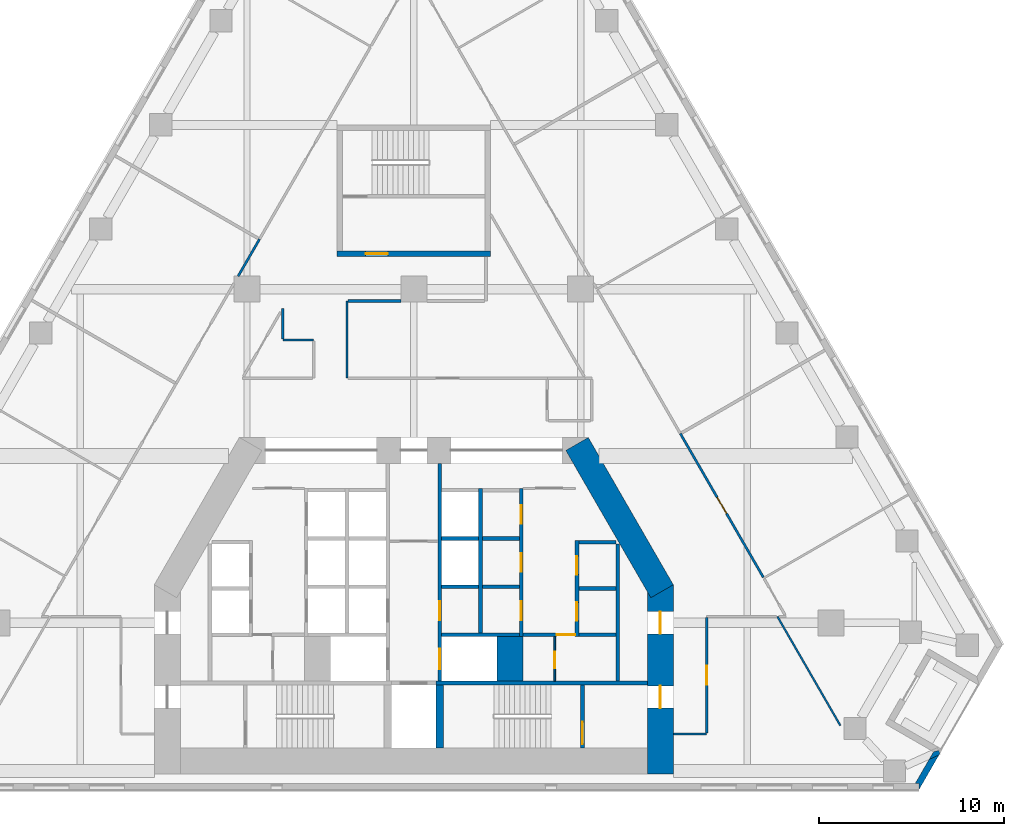
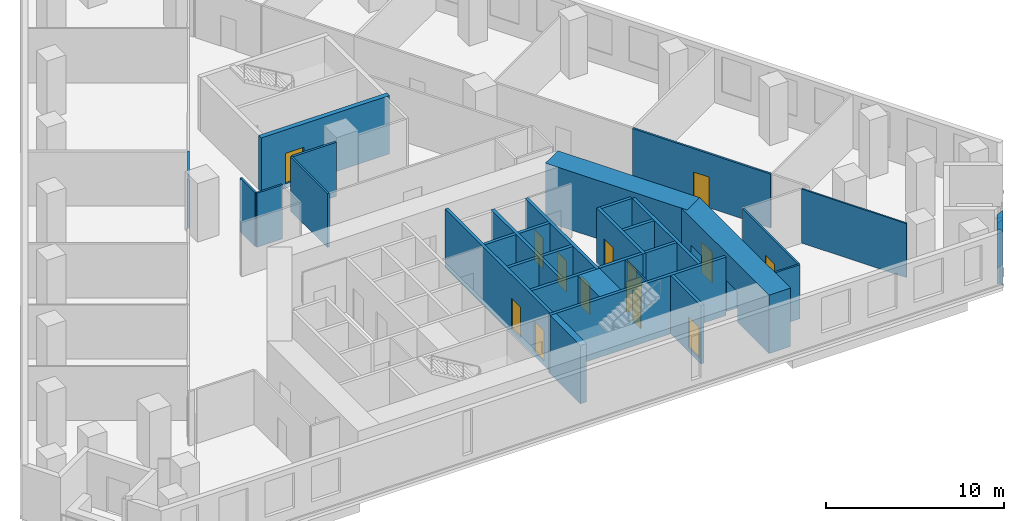
# One storey, part 6 of 11: 33 walls, 15 doors, 15 openings.
"""IFC4 building model written with IfcOpenShell, lengths in metres."""

from ifc_helpers import new_model, si_unit, direction, frame, frame_2d, origin, place, context, subcontext, project, spatial, polyline, rectangle, outline, extrude, material, layer, layer_set, type_object, element, fill, save


model = new_model("IFC4")

# Units and contexts
model_context = context("Model", 3, precision=1e-05, world=origin(), true_north=direction((0.0, 1.0)))
body_context = subcontext(model_context, "Body", "Model", "MODEL_VIEW")
ifc_project = project(units=[si_unit("LENGTHUNIT", "METRE"), si_unit("AREAUNIT", "SQUARE_METRE"), si_unit("VOLUMEUNIT", "CUBIC_METRE"), si_unit("PLANEANGLEUNIT", "RADIAN"), si_unit("MASSUNIT", "GRAM", prefix="KILO")], contexts=[model_context])

# Site, building, storey
site_placement = place(None, origin())
site = spatial("IfcSite", under=ifc_project, at=site_placement, CompositionType="ELEMENT")
building_placement = place(site_placement, origin())
building = spatial("IfcBuilding", under=site, at=building_placement, Name="Fogline Exchange Tower", CompositionType="ELEMENT")
storey_placement = place(building_placement, frame((0.0, 0.0, 52.89990234375)))
storey = spatial("IfcBuildingStorey", under=building, at=storey_placement, Name="L10", CompositionType="ELEMENT", Elevation=52.89990234375)

# Wall, opening, door
ifc_material_1 = material(Name="Blockwork partition", Category="masonry")
ifc_layer_1 = layer(ifc_material_1, 0.10009765625)
ifc_layer_set_1 = layer_set([ifc_layer_1], Name="CW10")
wall_type_1 = type_object("IfcWallType", Name="CW10", PredefinedType="PARTITIONING", material=ifc_layer_set_1)
wall_1_placement = place(storey_placement, frame((7.60009765625, 5.85009765625, 0.0), z_axis=(0.0, 0.0, 1.0), x_axis=(0.0, 1.0, 0.0)))
wall_1 = element("IfcWall", 1, at=wall_1_placement, inside=storey, type_object=wall_type_1, Name="WC partition", PredefinedType="PARTITIONING", context=body_context, shape_type="SweptSolid", body=[
    extrude(rectangle(XDim=2.39990234375, YDim=0.10009765625, at=frame_2d((1.199951171875, 0.0))), origin(), (0.0, 0.0, 1.0), 3.7001953125),
])
opening_1_placement = place(wall_1_placement, frame((0.699951171875, 0.0, 0.0)))
opening_1 = element("IfcOpeningElement", 2, at=opening_1_placement, cuts=wall_1, Name="Opening T03-C015", PredefinedType="OPENING", context=body_context, shape_type="SweptSolid", body=[
    extrude(rectangle(XDim=0.89990234375, YDim=2.10009765625, at=frame_2d((0.449951171875, 1.050048828125))), frame((0.0, 0.06005859375, 0.0), z_axis=(0.0, -1.0, 0.0), x_axis=(1.0, 0.0, 0.0)), (0.0, 0.0, 1.0), 0.1201171875),
])
ifc_material_2 = material(Name="Steel and timber fire door", Category="steel")
door_type_1 = type_object("IfcDoorType", Name="D-CS1", OperationType="SINGLE_SWING_RIGHT", PredefinedType="DOOR", material=ifc_material_2)
door_1_placement = place(opening_1_placement, origin())
door_1 = element("IfcDoor", 3, at=door_1_placement, inside=storey, type_object=door_type_1, Name="Door to Cleaner's Store", OperationType="SINGLE_SWING_LEFT", OverallHeight=2.10009765625, OverallWidth=0.89990234375, PredefinedType="DOOR", context=body_context, shape_type="SweptSolid", body=[
    extrude(rectangle(XDim=0.89990234375, YDim=2.10009765625, at=frame_2d((0.449951171875, 1.050048828125))), frame((0.0, 0.02490234375, 0.0), z_axis=(0.0, -1.0, 0.0), x_axis=(1.0, 0.0, 0.0)), (0.0, 0.0, 1.0), 0.050048828125),
])
fill(opening_1, door_1)

# Walls
ifc_material_3 = material(Name="Concrete C60", Category="concrete")
ifc_layer_2 = layer(ifc_material_3, 1.39990234375)
ifc_layer_set_2 = layer_set([ifc_layer_2], Name="CW140")
wall_type_2 = type_object("IfcWallType", Name="CW140", PredefinedType="SOLIDWALL", material=ifc_layer_set_2)
wall_2_placement = place(storey_placement, frame((5.199951171875, 5.85009765625, -0.2998046875), z_axis=(0.0, 0.0, 1.0), x_axis=(0.0, 1.0, 0.0)))
element("IfcWall", 4, at=wall_2_placement, inside=storey, type_object=wall_type_2, Name="Lift shaft block wall", PredefinedType="SOLIDWALL", context=body_context, shape_type="SweptSolid", body=[
    extrude(rectangle(XDim=2.39990234375, YDim=1.39990234375, at=frame_2d((1.199951171875, 0.0))), origin(), (0.0, 0.0, 1.0), 4.0),
])
ifc_material_4 = material(Name="Concrete C40", Category="concrete")
ifc_layer_3 = layer(ifc_material_4, 0.199951171875)
ifc_layer_set_3 = layer_set([ifc_layer_3], Name="CW20")
wall_type_3 = type_object("IfcWallType", Name="CW20", PredefinedType="SOLIDWALL", material=ifc_layer_set_3)
wall_3_placement = place(storey_placement, frame((11.0, 5.85009765625, 0.0), z_axis=(0.0, 0.0, 1.0), x_axis=(0.0, 1.0, 0.0)))
element("IfcWall", 5, at=wall_3_placement, inside=storey, type_object=wall_type_3, Name="Service room wall", PredefinedType="SOLIDWALL", context=body_context, shape_type="SweptSolid", body=[
    extrude(rectangle(XDim=7.39990234375, YDim=0.199951171875, at=frame_2d((3.699951171875, 0.0))), origin(), (0.0, 0.0, 1.0), 3.7001953125),
])

# Wall, opening, door
wall_4_placement = place(storey_placement, frame((5.89990234375, 8.35009765625, 0.0), z_axis=(0.0, 0.0, 1.0), x_axis=(1.0, 0.0, 0.0)))
wall_4 = element("IfcWall", 6, at=wall_4_placement, inside=storey, type_object=wall_type_3, Name="WC wall", PredefinedType="SOLIDWALL", context=body_context, shape_type="SweptSolid", body=[
    extrude(rectangle(XDim=2.800048828125, YDim=0.199951171875, at=frame_2d((1.39990234375, 0.0))), origin(), (0.0, 0.0, 1.0), 3.7001953125),
])
opening_2_placement = place(wall_4_placement, frame((1.800048828125, 0.0, 0.0)))
opening_2 = element("IfcOpeningElement", 7, at=opening_2_placement, cuts=wall_4, Name="Opening T03-C014", PredefinedType="OPENING", context=body_context, shape_type="SweptSolid", body=[
    extrude(rectangle(XDim=1.0, YDim=2.10009765625, at=frame_2d((0.5, 1.050048828125))), frame((0.0, 0.10986328125, 0.0), z_axis=(0.0, -1.0, 0.0), x_axis=(1.0, 0.0, 0.0)), (0.0, 0.0, 1.0), 0.219970703125),
])
door_type_2 = type_object("IfcDoorType", Name="D-WC1", OperationType="SINGLE_SWING_LEFT", PredefinedType="DOOR", material=ifc_material_2)
door_2_placement = place(opening_2_placement, frame((1.0, 0.0, 0.0), z_axis=(0.0, 0.0, 1.0), x_axis=(-1.0, 0.0, 0.0)))
door_2 = element("IfcDoor", 8, at=door_2_placement, inside=storey, type_object=door_type_2, Name="Door to Women's WC", OperationType="SINGLE_SWING_LEFT", OverallHeight=2.10009765625, OverallWidth=1.0, PredefinedType="DOOR", context=body_context, shape_type="SweptSolid", body=[
    extrude(rectangle(XDim=1.0, YDim=2.10009765625, at=frame_2d((0.5, 1.050048828125))), frame((0.0, 0.02490234375, 0.0), z_axis=(0.0, -1.0, 0.0), x_axis=(1.0, 0.0, 0.0)), (0.0, 0.0, 1.0), 0.050048828125),
])
fill(opening_2, door_2)

# Wall
ifc_layer_4 = layer(ifc_material_4, 0.199951171875)
ifc_layer_set_4 = layer_set([ifc_layer_4], Name="CW20R")
wall_type_4 = type_object("IfcWallType", Name="CW20R", PredefinedType="SOLIDWALL", material=ifc_layer_set_4)
wall_5_placement = place(storey_placement, frame((1.199951171875, 5.75, -0.2998046875), z_axis=(0.0, 0.0, 1.0), x_axis=(1.0, 0.0, 0.0)))
element("IfcWall", 9, at=wall_5_placement, inside=storey, type_object=wall_type_4, Name="Stair enclosure wall", PredefinedType="SOLIDWALL", context=body_context, shape_type="SweptSolid", body=[
    extrude(rectangle(XDim=11.400146484375, YDim=0.199951171875, at=frame_2d((5.7001953125, 0.0))), origin(), (0.0, 0.0, 1.0), 4.0),
])

# Wall, opening, door
wall_6_placement = place(storey_placement, frame((9.10009765625, 2.25, -0.2998046875), z_axis=(0.0, 0.0, 1.0), x_axis=(0.0, 1.0, 0.0)))
wall_6 = element("IfcWall", 10, at=wall_6_placement, inside=storey, type_object=wall_type_4, Name="Stair enclosure wall", PredefinedType="SOLIDWALL", context=body_context, shape_type="SweptSolid", body=[
    extrude(rectangle(XDim=3.39990234375, YDim=0.199951171875, at=frame_2d((1.699951171875, 0.0))), origin(), (0.0, 0.0, 1.0), 4.0),
])
opening_3_placement = place(wall_6_placement, frame((0.199951171875, 0.0, 0.300048828125)))
opening_3 = element("IfcOpeningElement", 11, at=opening_3_placement, cuts=wall_6, Name="Opening T03-C017", PredefinedType="OPENING", context=body_context, shape_type="SweptSolid", body=[
    extrude(rectangle(XDim=1.199951171875, YDim=2.10009765625, at=frame_2d((0.60009765625, 1.050048828125))), frame((0.0, 0.10986328125, 0.0), z_axis=(0.0, -1.0, 0.0), x_axis=(1.0, 0.0, 0.0)), (0.0, 0.0, 1.0), 0.219970703125),
])
door_type_3 = type_object("IfcDoorType", Name="D-ST1", OperationType="SINGLE_SWING_LEFT", PredefinedType="DOOR", material=ifc_material_2)
door_3_placement = place(opening_3_placement, origin())
door_3 = element("IfcDoor", 12, at=door_3_placement, inside=storey, type_object=door_type_3, Name="Stair door ST2", OperationType="SINGLE_SWING_LEFT", OverallHeight=2.10009765625, OverallWidth=1.199951171875, PredefinedType="DOOR", context=body_context, shape_type="SweptSolid", body=[
    extrude(rectangle(XDim=1.199951171875, YDim=2.10009765625, at=frame_2d((0.60009765625, 1.050048828125))), frame((0.0, 0.02490234375, 0.0), z_axis=(0.0, -1.0, 0.0), x_axis=(1.0, 0.0, 0.0)), (0.0, 0.0, 1.0), 0.050048828125),
])
fill(opening_3, door_3)

# Wall, openings, doors
ifc_layer_5 = layer(ifc_material_4, 0.199951171875)
ifc_layer_set_5 = layer_set([ifc_layer_5], Name="CW20S")
wall_type_5 = type_object("IfcWallType", Name="CW20S", PredefinedType="SOLIDWALL", material=ifc_layer_set_5)
wall_7_placement = place(storey_placement, frame((8.800048828125, 8.25, -0.2998046875), z_axis=(0.0, 0.0, 1.0), x_axis=(0.0, 1.0, 0.0)))
wall_7 = element("IfcWall", 13, at=wall_7_placement, inside=storey, type_object=wall_type_5, Name="Lift shaft wall", PredefinedType="SOLIDWALL", context=body_context, shape_type="SweptSolid", body=[
    extrude(rectangle(XDim=5.199951171875, YDim=0.199951171875, at=frame_2d((2.60009765625, 0.0))), origin(), (0.0, 0.0, 1.0), 4.0),
])
opening_4_placement = place(wall_7_placement, frame((0.85009765625, 0.0, 0.300048828125)))
opening_4 = element("IfcOpeningElement", 14, at=opening_4_placement, cuts=wall_7, Name="Opening T03-C001", PredefinedType="OPENING", context=body_context, shape_type="SweptSolid", body=[
    extrude(rectangle(XDim=1.0, YDim=2.10009765625, at=frame_2d((0.5, 1.050048828125))), frame((0.0, 0.10986328125, 0.0), z_axis=(0.0, -1.0, 0.0), x_axis=(1.0, 0.0, 0.0)), (0.0, 0.0, 1.0), 0.219970703125),
])
opening_5_placement = place(wall_7_placement, frame((3.35009765625, 0.0, 0.300048828125)))
opening_5 = element("IfcOpeningElement", 15, at=opening_5_placement, cuts=wall_7, Name="Opening T03-C002", PredefinedType="OPENING", context=body_context, shape_type="SweptSolid", body=[
    extrude(rectangle(XDim=1.0, YDim=2.10009765625, at=frame_2d((0.5, 1.050048828125))), frame((0.0, 0.10986328125, 0.0), z_axis=(0.0, -1.0, 0.0), x_axis=(1.0, 0.0, 0.0)), (0.0, 0.0, 1.0), 0.219970703125),
])
door_type_4 = type_object("IfcDoorType", Name="D-RM1", OperationType="SINGLE_SWING_LEFT", PredefinedType="DOOR", material=ifc_material_2)
door_4_placement = place(opening_4_placement, frame((1.0, 0.0, 0.0), z_axis=(0.0, 0.0, 1.0), x_axis=(-1.0, 0.0, 0.0)))
door_4 = element("IfcDoor", 16, at=door_4_placement, inside=storey, type_object=door_type_4, Name="Door to Library Store", OperationType="SINGLE_SWING_LEFT", OverallHeight=2.10009765625, OverallWidth=1.0, PredefinedType="DOOR", context=body_context, shape_type="SweptSolid", body=[
    extrude(rectangle(XDim=1.0, YDim=2.10009765625, at=frame_2d((0.5, 1.050048828125))), frame((0.0, 0.02490234375, 0.0), z_axis=(0.0, -1.0, 0.0), x_axis=(1.0, 0.0, 0.0)), (0.0, 0.0, 1.0), 0.050048828125),
])
fill(opening_4, door_4)
door_5_placement = place(opening_5_placement, frame((1.0, 0.0, 0.0), z_axis=(0.0, 0.0, 1.0), x_axis=(-1.0, 0.0, 0.0)))
door_5 = element("IfcDoor", 17, at=door_5_placement, inside=storey, type_object=door_type_4, Name="Door to Stationery Store", OperationType="SINGLE_SWING_LEFT", OverallHeight=2.10009765625, OverallWidth=1.0, PredefinedType="DOOR", context=body_context, shape_type="SweptSolid", body=[
    extrude(rectangle(XDim=1.0, YDim=2.10009765625, at=frame_2d((0.5, 1.050048828125))), frame((0.0, 0.02490234375, 0.0), z_axis=(0.0, -1.0, 0.0), x_axis=(1.0, 0.0, 0.0)), (0.0, 0.0, 1.0), 0.050048828125),
])
fill(opening_5, door_5)

wall_8_placement = place(storey_placement, frame((5.800048828125, 8.25, -0.2998046875), z_axis=(0.0, 0.0, 1.0), x_axis=(0.0, 1.0, 0.0)))
wall_8 = element("IfcWall", 18, at=wall_8_placement, inside=storey, type_object=wall_type_5, Name="Lift shaft wall", PredefinedType="SOLIDWALL", context=body_context, shape_type="SweptSolid", body=[
    extrude(rectangle(XDim=8.0, YDim=0.199951171875, at=frame_2d((4.0, 0.0))), origin(), (0.0, 0.0, 1.0), 4.0),
])
opening_6_placement = place(wall_8_placement, frame((0.89990234375, 0.0, 0.300048828125)))
opening_6 = element("IfcOpeningElement", 19, at=opening_6_placement, cuts=wall_8, Name="Opening T03-C003", PredefinedType="OPENING", context=body_context, shape_type="SweptSolid", body=[
    extrude(rectangle(XDim=1.0, YDim=2.10009765625, at=frame_2d((0.5, 1.050048828125))), frame((0.0, 0.10986328125, 0.0), z_axis=(0.0, -1.0, 0.0), x_axis=(1.0, 0.0, 0.0)), (0.0, 0.0, 1.0), 0.219970703125),
])
opening_7_placement = place(wall_8_placement, frame((3.5, 0.0, 0.300048828125)))
opening_7 = element("IfcOpeningElement", 20, at=opening_7_placement, cuts=wall_8, Name="Opening T03-C004", PredefinedType="OPENING", context=body_context, shape_type="SweptSolid", body=[
    extrude(rectangle(XDim=1.0, YDim=2.10009765625, at=frame_2d((0.5, 1.050048828125))), frame((0.0, 0.10986328125, 0.0), z_axis=(0.0, -1.0, 0.0), x_axis=(1.0, 0.0, 0.0)), (0.0, 0.0, 1.0), 0.219970703125),
])
opening_8_placement = place(wall_8_placement, frame((6.10009765625, 0.0, 0.300048828125)))
opening_8 = element("IfcOpeningElement", 21, at=opening_8_placement, cuts=wall_8, Name="Opening T03-C005", PredefinedType="OPENING", context=body_context, shape_type="SweptSolid", body=[
    extrude(rectangle(XDim=1.0, YDim=2.10009765625, at=frame_2d((0.5, 1.050048828125))), frame((0.0, 0.10986328125, 0.0), z_axis=(0.0, -1.0, 0.0), x_axis=(1.0, 0.0, 0.0)), (0.0, 0.0, 1.0), 0.219970703125),
])
door_6_placement = place(opening_6_placement, origin())
door_6 = element("IfcDoor", 22, at=door_6_placement, inside=storey, type_object=door_type_4, Name="Door to Records Store", OperationType="SINGLE_SWING_RIGHT", OverallHeight=2.10009765625, OverallWidth=1.0, PredefinedType="DOOR", context=body_context, shape_type="SweptSolid", body=[
    extrude(rectangle(XDim=1.0, YDim=2.10009765625, at=frame_2d((0.5, 1.050048828125))), frame((0.0, 0.02490234375, 0.0), z_axis=(0.0, -1.0, 0.0), x_axis=(1.0, 0.0, 0.0)), (0.0, 0.0, 1.0), 0.050048828125),
])
fill(opening_6, door_6)
door_7_placement = place(opening_7_placement, origin())
door_7 = element("IfcDoor", 23, at=door_7_placement, inside=storey, type_object=door_type_4, Name="Door to Riser Room", OperationType="SINGLE_SWING_LEFT", OverallHeight=2.10009765625, OverallWidth=1.0, PredefinedType="DOOR", context=body_context, shape_type="SweptSolid", body=[
    extrude(rectangle(XDim=1.0, YDim=2.10009765625, at=frame_2d((0.5, 1.050048828125))), frame((0.0, 0.02490234375, 0.0), z_axis=(0.0, -1.0, 0.0), x_axis=(1.0, 0.0, 0.0)), (0.0, 0.0, 1.0), 0.050048828125),
])
fill(opening_7, door_7)
door_8_placement = place(opening_8_placement, origin())
door_8 = element("IfcDoor", 24, at=door_8_placement, inside=storey, type_object=door_type_4, Name="Door to Plant Room", OperationType="SINGLE_SWING_LEFT", OverallHeight=2.10009765625, OverallWidth=1.0, PredefinedType="DOOR", context=body_context, shape_type="SweptSolid", body=[
    extrude(rectangle(XDim=1.0, YDim=2.10009765625, at=frame_2d((0.5, 1.050048828125))), frame((0.0, 0.02490234375, 0.0), z_axis=(0.0, -1.0, 0.0), x_axis=(1.0, 0.0, 0.0)), (0.0, 0.0, 1.0), 0.050048828125),
])
fill(opening_8, door_8)

# Wall
wall_9_placement = place(storey_placement, frame((3.60009765625, 8.449951171875, -0.2998046875), z_axis=(0.0, 0.0, 1.0), x_axis=(0.0, 1.0, 0.0)))
element("IfcWall", 25, at=wall_9_placement, inside=storey, type_object=wall_type_5, Name="Lift shaft wall", PredefinedType="SOLIDWALL", context=body_context, shape_type="SweptSolid", body=[
    extrude(rectangle(XDim=7.800048828125, YDim=0.199951171875, at=frame_2d((3.89990234375, 0.0))), origin(), (0.0, 0.0, 1.0), 4.0),
])

# Wall, openings, doors
wall_10_placement = place(storey_placement, frame((1.39990234375, 5.85009765625, -0.2998046875), z_axis=(0.0, 0.0, 1.0), x_axis=(0.0, 1.0, 0.0)))
wall_10 = element("IfcWall", 26, at=wall_10_placement, inside=storey, type_object=wall_type_5, Name="Lift lobby wall", PredefinedType="SOLIDWALL", context=body_context, shape_type="SweptSolid", body=[
    extrude(rectangle(XDim=11.75, YDim=0.199951171875, at=frame_2d((5.875, 0.0))), origin(), (0.0, 0.0, 1.0), 4.0),
])
opening_9_placement = place(wall_10_placement, frame((0.64990234375, 0.0, 0.300048828125)))
opening_9 = element("IfcOpeningElement", 27, at=opening_9_placement, cuts=wall_10, Name="Opening T03-LD08", PredefinedType="OPENING", context=body_context, shape_type="SweptSolid", body=[
    extrude(rectangle(XDim=1.10009765625, YDim=2.10009765625, at=frame_2d((0.550048828125, 1.050048828125))), frame((0.0, 0.10986328125, 0.0), z_axis=(0.0, -1.0, 0.0), x_axis=(1.0, 0.0, 0.0)), (0.0, 0.0, 1.0), 0.219970703125),
])
opening_10_placement = place(wall_10_placement, frame((3.300048828125, 0.0, 0.300048828125)))
opening_10 = element("IfcOpeningElement", 28, at=opening_10_placement, cuts=wall_10, Name="Opening T03-C006", PredefinedType="OPENING", context=body_context, shape_type="SweptSolid", body=[
    extrude(rectangle(XDim=1.0, YDim=2.10009765625, at=frame_2d((0.5, 1.050048828125))), frame((0.0, 0.10986328125, 0.0), z_axis=(0.0, -1.0, 0.0), x_axis=(1.0, 0.0, 0.0)), (0.0, 0.0, 1.0), 0.219970703125),
])
door_9_placement = place(opening_10_placement, frame((1.0, 0.0, 0.0), z_axis=(0.0, 0.0, 1.0), x_axis=(-1.0, 0.0, 0.0)))
door_9 = element("IfcDoor", 29, at=door_9_placement, inside=storey, type_object=door_type_4, Name="Door to Cable Store", OperationType="SINGLE_SWING_RIGHT", OverallHeight=2.10009765625, OverallWidth=1.0, PredefinedType="DOOR", context=body_context, shape_type="SweptSolid", body=[
    extrude(rectangle(XDim=1.0, YDim=2.10009765625, at=frame_2d((0.5, 1.050048828125))), frame((0.0, 0.02490234375, 0.0), z_axis=(0.0, -1.0, 0.0), x_axis=(1.0, 0.0, 0.0)), (0.0, 0.0, 1.0), 0.050048828125),
])
fill(opening_10, door_9)
door_type_5 = type_object("IfcDoorType", Name="LD2", OperationType="SLIDING_TO_RIGHT", PredefinedType="DOOR", material=ifc_material_2)
door_10_placement = place(opening_9_placement, origin())
door_10 = element("IfcDoor", 30, at=door_10_placement, inside=storey, type_object=door_type_5, Name="Landing door FF2", OperationType="SLIDING_TO_RIGHT", OverallHeight=2.10009765625, OverallWidth=1.10009765625, PredefinedType="DOOR", context=body_context, shape_type="SweptSolid", body=[
    extrude(rectangle(XDim=1.10009765625, YDim=2.10009765625, at=frame_2d((0.550048828125, 1.050048828125))), frame((0.0, 0.02490234375, 0.0), z_axis=(0.0, -1.0, 0.0), x_axis=(1.0, 0.0, 0.0)), (0.0, 0.0, 1.0), 0.050048828125),
])
fill(opening_9, door_10)

# Walls
wall_11_placement = place(storey_placement, frame((8.89990234375, 8.35009765625, -0.2998046875), z_axis=(0.0, 0.0, 1.0), x_axis=(1.0, 0.0, 0.0)))
element("IfcWall", 31, at=wall_11_placement, inside=storey, type_object=wall_type_5, Name="Lift shaft wall", PredefinedType="SOLIDWALL", context=body_context, shape_type="SweptSolid", body=[
    extrude(rectangle(XDim=2.0, YDim=0.199951171875, at=frame_2d((1.0, 0.0))), origin(), (0.0, 0.0, 1.0), 4.0),
])
wall_12_placement = place(storey_placement, frame((1.5, 8.35009765625, -0.2998046875), z_axis=(0.0, 0.0, 1.0), x_axis=(1.0, 0.0, 0.0)))
element("IfcWall", 32, at=wall_12_placement, inside=storey, type_object=wall_type_5, Name="Lift shaft wall", PredefinedType="SOLIDWALL", context=body_context, shape_type="SweptSolid", body=[
    extrude(rectangle(XDim=4.199951171875, YDim=0.199951171875, at=frame_2d((2.10009765625, 0.0))), origin(), (0.0, 0.0, 1.0), 4.0),
])
for number, where, z_axis, x_axis, name in (
    (33, (8.89990234375, 10.85009765625, -0.2998046875), (0.0, 0.0, 1.0), (1.0, 0.0, 0.0), "Lift shaft wall"),
    (34, (8.89990234375, 13.35009765625, -0.2998046875), (0.0, 0.0, 1.0), (1.0, 0.0, 0.0), "Lift shaft wall"),
    (35, (3.699951171875, 10.949951171875, -0.2998046875), (0.0, 0.0, 1.0), (1.0, 0.0, 0.0), "Lift shaft wall"),
    (36, (3.699951171875, 13.550048828125, -0.2998046875), (0.0, 0.0, 1.0), (1.0, 0.0, 0.0), "Lift shaft wall"),
    (37, (1.5, 10.949951171875, -0.2998046875), (0.0, 0.0, 1.0), (1.0, 0.0, 0.0), "Lift shaft wall"),
    (38, (1.5, 13.550048828125, -0.2998046875), (0.0, 0.0, 1.0), (1.0, 0.0, 0.0), "Lift shaft wall"),
):
    element("IfcWall", number, at=place(storey_placement, frame(where, z_axis=z_axis, x_axis=x_axis)), inside=storey, type_object=wall_type_5, Name=name, PredefinedType="SOLIDWALL", context=body_context, shape_type="SweptSolid", body=[
        extrude(rectangle(XDim=2.0, YDim=0.199951171875, at=frame_2d((1.0, 0.0))), origin(), (0.0, 0.0, 1.0), 4.0),
    ])

# Wall, opening, door
ifc_layer_6 = layer(ifc_material_4, 0.300048828125)
ifc_layer_set_6 = layer_set([ifc_layer_6], Name="CW30")
wall_type_6 = type_object("IfcWallType", Name="CW30", PredefinedType="SOLIDWALL", material=ifc_layer_set_6)
wall_13_placement = place(storey_placement, frame((-4.14990234375, 28.906982421875, -0.2998046875), z_axis=(0.0, 0.0, 1.0), x_axis=(1.0, 0.0, 0.0)))
wall_13 = element("IfcWall", 39, at=wall_13_placement, inside=storey, type_object=wall_type_6, Name="Stair enclosure wall ST3", PredefinedType="SOLIDWALL", context=body_context, shape_type="SweptSolid", body=[
    extrude(rectangle(XDim=8.2998046875, YDim=0.300048828125, at=frame_2d((4.14990234375, 0.0))), origin(), (0.0, 0.0, 1.0), 4.0),
])
opening_11_placement = place(wall_13_placement, frame((1.550048828125, 0.0, 0.300048828125)))
opening_11 = element("IfcOpeningElement", 40, at=opening_11_placement, cuts=wall_13, Name="Opening T03-C023", PredefinedType="OPENING", context=body_context, shape_type="SweptSolid", body=[
    extrude(rectangle(XDim=1.199951171875, YDim=2.10009765625, at=frame_2d((0.60009765625, 1.050048828125))), frame((0.0, 0.16015625, 0.0), z_axis=(0.0, -1.0, 0.0), x_axis=(1.0, 0.0, 0.0)), (0.0, 0.0, 1.0), 0.320068359375),
])
door_type_6 = type_object("IfcDoorType", Name="D-FR1", OperationType="SINGLE_SWING_RIGHT", PredefinedType="DOOR", material=ifc_material_2)
door_11_placement = place(opening_11_placement, origin())
door_11 = element("IfcDoor", 41, at=door_11_placement, inside=storey, type_object=door_type_6, Name="Front room door ST3", OperationType="SINGLE_SWING_LEFT", OverallHeight=2.10009765625, OverallWidth=1.199951171875, PredefinedType="DOOR", context=body_context, shape_type="SweptSolid", body=[
    extrude(rectangle(XDim=1.199951171875, YDim=2.10009765625, at=frame_2d((0.60009765625, 1.050048828125))), frame((0.0, 0.02490234375, 0.0), z_axis=(0.0, -1.0, 0.0), x_axis=(1.0, 0.0, 0.0)), (0.0, 0.0, 1.0), 0.050048828125),
])
fill(opening_11, door_11)

# Walls
ifc_layer_7 = layer(ifc_material_4, 0.39990234375)
ifc_layer_set_7 = layer_set([ifc_layer_7], Name="CW40R")
wall_type_7 = type_object("IfcWallType", Name="CW40R", PredefinedType="SOLIDWALL", material=ifc_layer_set_7)
wall_14_placement = place(storey_placement, frame((1.39990234375, 2.25, -0.2998046875), z_axis=(0.0, 0.0, 1.0), x_axis=(0.0, 1.0, 0.0)))
element("IfcWall", 42, at=wall_14_placement, inside=storey, type_object=wall_type_7, Name="Stair and lift shaft wall", PredefinedType="SOLIDWALL", context=body_context, shape_type="SweptSolid", body=[
    extrude(rectangle(XDim=3.39990234375, YDim=0.39990234375, at=frame_2d((1.699951171875, 0.0))), origin(), (0.0, 0.0, 1.0), 4.0),
])
ifc_material_5 = material(Name="Brick masonry", Category="masonry")
ifc_layer_8 = layer(ifc_material_5, 0.340087890625)
ifc_layer_set_8 = layer_set([ifc_layer_8], Name="FW1")
wall_type_8 = type_object("IfcWallType", Name="FW1", PredefinedType="SOLIDWALL", material=ifc_layer_set_8)
wall_15_placement = place(storey_placement, origin())
element("IfcWall", 43, at=wall_15_placement, inside=storey, type_object=wall_type_8, Name="Brick wall L10 SE-c1", PredefinedType="SOLIDWALL", context=body_context, shape_type="SweptSolid", body=[
    extrude(outline(polyline([(28.334716796875, 1.86865234375), (27.80126953125, 1.626953125), (28.040283203125, 2.041015625), (28.319580078125, 2.115966796875), (28.388916015625, 1.962646484375), (28.334716796875, 1.86865234375)])), origin(), (0.0, 0.0, 1.0), 3.10009765625),
])
wall_16_placement = place(storey_placement, origin())
element("IfcWall", 44, at=wall_16_placement, inside=storey, type_object=wall_type_8, Name="Brick wall L10 SE-c1", PredefinedType="SOLIDWALL", context=body_context, shape_type="SweptSolid", body=[
    extrude(outline(polyline([(27.255126953125, -0.001220703125), (27.254638671875, -0.0009765625), (27.254638671875, 0.33935546875), (27.057861328125, 0.33935546875), (27.80126953125, 1.626953125), (28.334716796875, 1.86865234375), (27.255126953125, -0.001220703125)])), origin(), (0.0, 0.0, 1.0), 3.7001953125),
])
ifc_material_6 = material(Name="Plasterboard partition, 2 layers each side on steel studs", Category="steel")
ifc_layer_9 = layer(ifc_material_6, 0.10009765625)
ifc_layer_set_9 = layer_set([ifc_layer_9], Name="PW1")
wall_type_9 = type_object("IfcWallType", Name="PW1", PredefinedType="PARTITIONING", material=ifc_layer_set_9)
wall_17_placement = place(storey_placement, frame((19.615966796875, 9.340087890625, 0.0), z_axis=(0.0, 0.0, 1.0), x_axis=(0.499992018036, -0.866030012124, 0.0)))
element("IfcWall", 45, at=wall_17_placement, inside=storey, type_object=wall_type_9, Name="wall-L10-W055", PredefinedType="PARTITIONING", context=body_context, shape_type="SweptSolid", body=[
    extrude(rectangle(XDim=6.79443359375, YDim=0.10009765625, at=frame_2d((3.397216796875, 0.0))), origin(), (0.0, 0.0, 1.0), 3.7001953125),
])

# Wall, opening, door
ifc_material_7 = material(Name="Plasterboard corridor partition with mineral wool, 2 layers each side")
ifc_layer_10 = layer(ifc_material_7, 0.125)
ifc_layer_set_10 = layer_set([ifc_layer_10], Name="PW2")
wall_type_10 = type_object("IfcWallType", Name="PW2", PredefinedType="PARTITIONING", material=ifc_layer_set_10)
wall_18_placement = place(storey_placement, frame((15.800048828125, 9.277587890625, 0.0), z_axis=(0.0, 0.0, 1.0), x_axis=(0.0, -1.0, 0.0)))
wall_18 = element("IfcWall", 46, at=wall_18_placement, inside=storey, type_object=wall_type_10, Name="wall-L10-W001", PredefinedType="PARTITIONING", context=body_context, shape_type="SweptSolid", body=[
    extrude(rectangle(XDim=6.215087890625, YDim=0.125, at=frame_2d((3.107421875, 0.0))), origin(), (0.0, 0.0, 1.0), 3.7001953125),
])
opening_12_placement = place(wall_18_placement, frame((2.607421875, 0.0, 0.0)))
opening_12 = element("IfcOpeningElement", 47, at=opening_12_placement, cuts=wall_18, Name="Opening T03-D001", PredefinedType="OPENING", context=body_context, shape_type="SweptSolid", body=[
    extrude(rectangle(XDim=1.0, YDim=2.10009765625, at=frame_2d((0.5, 1.050048828125))), frame((0.0, 0.072509765625, 0.0), z_axis=(0.0, -1.0, 0.0), x_axis=(1.0, 0.0, 0.0)), (0.0, 0.0, 1.0), 0.14501953125),
])
ifc_material_8 = material(Name="Fire-rated timber door leaf with steel frame", Category="steel")
door_type_7 = type_object("IfcDoorType", Name="D3", OperationType="SINGLE_SWING_LEFT", PredefinedType="DOOR", material=ifc_material_8)
door_12_placement = place(opening_12_placement, origin())
door_12 = element("IfcDoor", 48, at=door_12_placement, inside=storey, type_object=door_type_7, Name="door-L10-D001", OperationType="SINGLE_SWING_LEFT", OverallHeight=2.10009765625, OverallWidth=1.0, PredefinedType="DOOR", context=body_context, shape_type="SweptSolid", body=[
    extrude(rectangle(XDim=1.0, YDim=2.10009765625, at=frame_2d((0.5, 1.050048828125))), frame((0.0, 0.02490234375, 0.0), z_axis=(0.0, -1.0, 0.0), x_axis=(1.0, 0.0, 0.0)), (0.0, 0.0, 1.0), 0.050048828125),
])
fill(opening_12, door_12)

# Walls
wall_19_placement = place(storey_placement, frame((15.800048828125, 3.0, 0.0), z_axis=(0.0, 0.0, 1.0), x_axis=(-1.0, 0.0, 0.0)))
element("IfcWall", 49, at=wall_19_placement, inside=storey, type_object=wall_type_10, Name="wall-L10-W002", PredefinedType="PARTITIONING", context=body_context, shape_type="SweptSolid", body=[
    extrude(rectangle(XDim=1.800048828125, YDim=0.125, at=frame_2d((0.89990234375, 0.0))), origin(), (0.0, 0.0, 1.0), 3.7001953125),
])
wall_20_placement = place(storey_placement, frame((-9.477783203125, 27.699951171875, 0.0), z_axis=(0.0, 0.0, 1.0), x_axis=(0.500030792419, 0.866007625043, 0.0)))
element("IfcWall", 50, at=wall_20_placement, inside=storey, type_object=wall_type_10, Name="wall-L10-W021", PredefinedType="PARTITIONING", context=body_context, shape_type="SweptSolid", body=[
    extrude(rectangle(XDim=2.307373046875, YDim=0.125, at=frame_2d((1.15380859375, 0.0))), origin(), (0.0, 0.0, 1.0), 3.7001953125),
])

# Wall, opening, door
wall_21_placement = place(storey_placement, frame((14.381591796875, 19.206298828125, 0.0), z_axis=(0.0, 0.0, 1.0), x_axis=(0.49998850867, -0.866032038205, 0.0)))
wall_21 = element("IfcWall", 51, at=wall_21_placement, inside=storey, type_object=wall_type_10, Name="wall-L10-W031", PredefinedType="PARTITIONING", context=body_context, shape_type="SweptSolid", body=[
    extrude(rectangle(XDim=8.949462890625, YDim=0.125, at=frame_2d((4.474609375, 0.0))), origin(), (0.0, 0.0, 1.0), 3.7001953125),
])
opening_13_placement = place(wall_21_placement, frame((3.974609375, 0.0, 0.0)))
opening_13 = element("IfcOpeningElement", 52, at=opening_13_placement, cuts=wall_21, Name="Opening T03-D017", PredefinedType="OPENING", context=body_context, shape_type="SweptSolid", body=[
    extrude(rectangle(XDim=1.0, YDim=2.10009765625, at=frame_2d((0.5, 1.050048828125))), frame((0.0, 0.072509765625, 0.0), z_axis=(0.0, -1.0, 0.0), x_axis=(1.0, 0.0, 0.0)), (0.0, 0.0, 1.0), 0.14501953125),
])
door_13_placement = place(opening_13_placement, origin())
door_13 = element("IfcDoor", 53, at=door_13_placement, inside=storey, type_object=door_type_7, Name="door-L10-D017", OperationType="SINGLE_SWING_LEFT", OverallHeight=2.10009765625, OverallWidth=1.0, PredefinedType="DOOR", context=body_context, shape_type="SweptSolid", body=[
    extrude(rectangle(XDim=1.0, YDim=2.10009765625, at=frame_2d((0.5, 1.050048828125))), frame((0.0, 0.02490234375, 0.0), z_axis=(0.0, -1.0, 0.0), x_axis=(1.0, 0.0, 0.0)), (0.0, 0.0, 1.0), 0.050048828125),
])
fill(opening_13, door_13)

# Walls
wall_22_placement = place(storey_placement, frame((-5.39990234375, 24.257080078125, 0.0), z_axis=(0.0, 0.0, 1.0), x_axis=(-1.0, 0.0, 0.0)))
element("IfcWall", 54, at=wall_22_placement, inside=storey, type_object=wall_type_10, Name="wall-L10-W035", PredefinedType="PARTITIONING", context=body_context, shape_type="SweptSolid", body=[
    extrude(rectangle(XDim=1.669921875, YDim=0.125, at=frame_2d((0.8349609375, 0.0))), origin(), (0.0, 0.0, 1.0), 3.7001953125),
])
wall_23_placement = place(storey_placement, frame((-7.06982421875, 24.319580078125, 0.0), z_axis=(0.0, 0.0, 1.0), x_axis=(0.0, 1.0, 0.0)))
element("IfcWall", 55, at=wall_23_placement, inside=storey, type_object=wall_type_10, Name="wall-L10-W036", PredefinedType="PARTITIONING", context=body_context, shape_type="SweptSolid", body=[
    extrude(rectangle(XDim=1.65087890625, YDim=0.125, at=frame_2d((0.825439453125, 0.0))), origin(), (0.0, 0.0, 1.0), 3.7001953125),
])
wall_24_placement = place(storey_placement, frame((-3.60009765625, 26.35693359375, 0.0), z_axis=(0.0, 0.0, 1.0), x_axis=(0.0, -1.0, 0.0)))
element("IfcWall", 56, at=wall_24_placement, inside=storey, type_object=wall_type_10, Name="wall-L10-W037", PredefinedType="PARTITIONING", context=body_context, shape_type="SweptSolid", body=[
    extrude(rectangle(XDim=4.156982421875, YDim=0.125, at=frame_2d((2.07861328125, 0.0))), origin(), (0.0, 0.0, 1.0), 3.7001953125),
])
ifc_material_9 = material(Name="Plasterboard stair lobby partition, 3 layers each side on steel studs", Category="steel")
ifc_layer_11 = layer(ifc_material_9, 0.14990234375)
ifc_layer_set_11 = layer_set([ifc_layer_11], Name="PW4")
wall_type_11 = type_object("IfcWallType", Name="PW4", PredefinedType="PARTITIONING", material=ifc_layer_set_11)
wall_25_placement = place(storey_placement, frame((-0.699951171875, 26.35693359375, 0.0), z_axis=(0.0, 0.0, 1.0), x_axis=(-1.0, 0.0, 0.0)))
element("IfcWall", 57, at=wall_25_placement, inside=storey, type_object=wall_type_11, Name="wall-L10-W034", PredefinedType="PARTITIONING", context=body_context, shape_type="SweptSolid", body=[
    extrude(rectangle(XDim=2.837646484375, YDim=0.14990234375, at=frame_2d((1.4189453125, 0.0))), origin(), (0.0, 0.0, 1.0), 3.7001953125),
])

# Wall, openings, doors
ifc_layer_12 = layer(ifc_material_3, 1.39990234375)
ifc_layer_set_12 = layer_set([ifc_layer_12], Name="SW01")
wall_type_12 = type_object("IfcWallType", Name="SW01", PredefinedType="SHEAR", material=ifc_layer_set_12)
wall_26_placement = place(storey_placement, frame((13.300048828125, 0.85009765625, 0.0), z_axis=(0.0, 0.0, 1.0), x_axis=(0.0, 1.0, 0.0)))
wall_26 = element("IfcWall", 58, at=wall_26_placement, inside=storey, type_object=wall_type_12, Name="L10-W902", PredefinedType="SHEAR", context=body_context, shape_type="SweptSolid", body=[
    extrude(rectangle(XDim=10.202392578125, YDim=1.39990234375, at=frame_2d((5.10107421875, 0.0))), origin(), (0.0, 0.0, 1.0), 4.0),
])
opening_14_placement = place(wall_26_placement, frame((3.550048828125, 0.0, 0.0)))
opening_14 = element("IfcOpeningElement", 59, at=opening_14_placement, cuts=wall_26, Name="Opening T03-C016", PredefinedType="OPENING", context=body_context, shape_type="SweptSolid", body=[
    extrude(rectangle(XDim=1.199951171875, YDim=2.10009765625, at=frame_2d((0.60009765625, 1.050048828125))), frame((0.0, 0.7099609375, 0.0), z_axis=(0.0, -1.0, 0.0), x_axis=(1.0, 0.0, 0.0)), (0.0, 0.0, 1.0), 1.419921875),
])
opening_15_placement = place(wall_26_placement, frame((7.550048828125, 0.0, 0.0)))
opening_15 = element("IfcOpeningElement", 60, at=opening_15_placement, cuts=wall_26, Name="Opening T03-C018", PredefinedType="OPENING", context=body_context, shape_type="SweptSolid", body=[
    extrude(rectangle(XDim=1.199951171875, YDim=2.10009765625, at=frame_2d((0.60009765625, 1.050048828125))), frame((0.0, 0.7099609375, 0.0), z_axis=(0.0, -1.0, 0.0), x_axis=(1.0, 0.0, 0.0)), (0.0, 0.0, 1.0), 1.419921875),
])
door_14_placement = place(opening_14_placement, origin())
door_14 = element("IfcDoor", 61, at=door_14_placement, inside=storey, type_object=door_type_6, Name="Front room door ST2", OperationType="SINGLE_SWING_RIGHT", OverallHeight=2.10009765625, OverallWidth=1.199951171875, PredefinedType="DOOR", context=body_context, shape_type="SweptSolid", body=[
    extrude(rectangle(XDim=1.199951171875, YDim=2.10009765625, at=frame_2d((0.60009765625, 1.050048828125))), frame((0.0, 0.02490234375, 0.0), z_axis=(0.0, -1.0, 0.0), x_axis=(1.0, 0.0, 0.0)), (0.0, 0.0, 1.0), 0.050048828125),
])
fill(opening_14, door_14)
door_type_8 = type_object("IfcDoorType", Name="D-SV1", OperationType="SINGLE_SWING_LEFT", PredefinedType="DOOR", material=ifc_material_2)
door_15_placement = place(opening_15_placement, origin())
door_15 = element("IfcDoor", 62, at=door_15_placement, inside=storey, type_object=door_type_8, Name="Service door E", OperationType="SINGLE_SWING_RIGHT", OverallHeight=2.10009765625, OverallWidth=1.199951171875, PredefinedType="DOOR", context=body_context, shape_type="SweptSolid", body=[
    extrude(rectangle(XDim=1.199951171875, YDim=2.10009765625, at=frame_2d((0.60009765625, 1.050048828125))), frame((0.0, 0.02490234375, 0.0), z_axis=(0.0, -1.0, 0.0), x_axis=(1.0, 0.0, 0.0)), (0.0, 0.0, 1.0), 0.050048828125),
])
fill(opening_15, door_15)

# Wall
wall_27_placement = place(storey_placement, frame((13.393798828125, 10.70263671875, 0.0), z_axis=(0.0, 0.0, 1.0), x_axis=(-0.50000187635, 0.866024320471, 0.0)))
element("IfcWall", 63, at=wall_27_placement, inside=storey, type_object=wall_type_12, Name="L10-W903", PredefinedType="SHEAR", context=body_context, shape_type="SweptSolid", body=[
    extrude(rectangle(XDim=9.1767578125, YDim=1.39990234375, at=frame_2d((4.58837890625, 0.0))), origin(), (0.0, 0.0, 1.0), 4.0),
])

save(model, "model.ifc")
